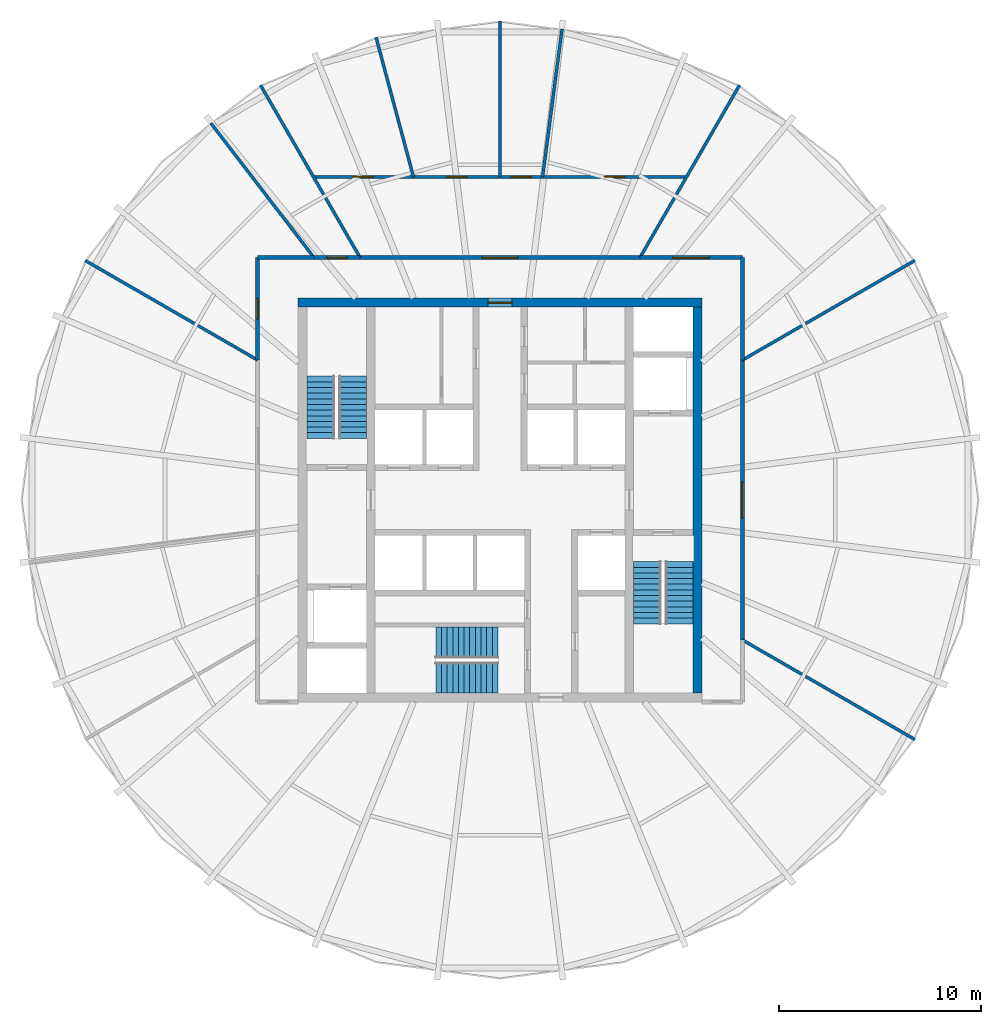
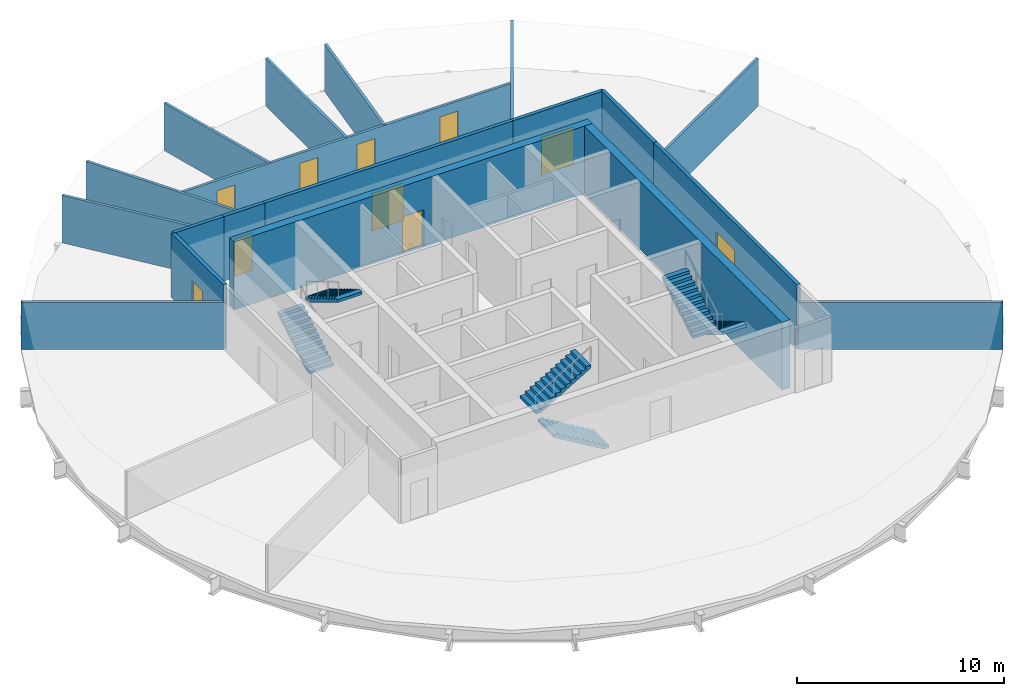
# One storey, part 4 of 5: 19 walls, 10 doors, 6 stair flights, 10 openings, 3 elements without a shape of their own.
"""IFC4 building model written with IfcOpenShell, lengths in metres."""

from ifc_helpers import new_model, si_unit, direction, frame, frame_2d, origin, place, context, subcontext, project, spatial, polyline, rectangle, outline, extrude, material, layer, layer_set, type_object, element, fill, aggregate, save


model = new_model("IFC4")

# Units and contexts
model_context = context("Model", 3, precision=1e-05, world=origin(), true_north=direction((0.0, 1.0)))
body_context = subcontext(model_context, "Body", "Model", "MODEL_VIEW")
ifc_project = project(units=[si_unit("LENGTHUNIT", "METRE"), si_unit("AREAUNIT", "SQUARE_METRE"), si_unit("VOLUMEUNIT", "CUBIC_METRE"), si_unit("PLANEANGLEUNIT", "RADIAN"), si_unit("MASSUNIT", "GRAM", prefix="KILO")], contexts=[model_context])

# Site, building, storey
site_placement = place(None, origin())
site = spatial("IfcSite", under=ifc_project, at=site_placement, CompositionType="ELEMENT")
building_placement = place(site_placement, origin())
building = spatial("IfcBuilding", under=site, at=building_placement, Name="Golbaran Civic Tower", CompositionType="ELEMENT")
storey_placement = place(building_placement, frame((0.0, 0.0, 191.0)))
storey = spatial("IfcBuildingStorey", under=building, at=storey_placement, Name="L46", CompositionType="ELEMENT", Elevation=191.0)

# Wall, opening, door
ifc_material_1 = material(Name="Concrete C50/60", Category="concrete")
ifc_layer_1 = layer(ifc_material_1, 0.449951171875, Name="Concrete C50/60")
ifc_layer_set_1 = layer_set([ifc_layer_1], Name="Concrete C50/60")
wall_type_1 = type_object("IfcWallType", Name="CORE WALL CONCRETE 450", PredefinedType="SOLIDWALL", material=ifc_layer_set_1)
wall_1_placement = place(storey_placement, frame((-10.0, 9.77490234375, 0.0), z_axis=(0.0, 0.0, 1.0), x_axis=(1.0, 0.0, 0.0)))
wall_1 = element("IfcWall", 1, at=wall_1_placement, inside=storey, type_object=wall_type_1, Name="Core wall CN L46", PredefinedType="SOLIDWALL", context=body_context, shape_type="SweptSolid", body=[
    extrude(rectangle(XDim=20.0, YDim=0.449951171875, at=frame_2d((10.0, 0.0))), origin(), (0.0, 0.0, 1.0), 4.0),
])
opening_1_placement = place(wall_1_placement, frame((9.39990234375, 0.0, 0.0)))
opening_1 = element("IfcOpeningElement", 2, at=opening_1_placement, cuts=wall_1, Name="Opening L46.CN", PredefinedType="OPENING", context=body_context, shape_type="SweptSolid", body=[
    extrude(rectangle(XDim=1.199951171875, YDim=2.199951171875, at=frame_2d((0.60009765625, 1.10009765625))), frame((0.0, 0.23486328125, 0.0), z_axis=(0.0, -1.0, 0.0), x_axis=(1.0, 0.0, 0.0)), (0.0, 0.0, 1.0), 0.469970703125),
])
ifc_material_2 = material(Name="Timber door set in steel frame", Category="steel")
door_type_1 = type_object("IfcDoorType", Name="CORE DOOR 1200x2200", OperationType="DOUBLE_DOOR_SINGLE_SWING", PredefinedType="DOOR", material=ifc_material_2)
door_1_placement = place(opening_1_placement, origin())
door_1 = element("IfcDoor", 3, at=door_1_placement, inside=storey, type_object=door_type_1, Name="Core door north", OperationType="DOUBLE_DOOR_SINGLE_SWING", OverallHeight=2.199951171875, OverallWidth=1.199951171875, PredefinedType="DOOR", context=body_context, shape_type="SweptSolid", body=[
    extrude(rectangle(XDim=1.199951171875, YDim=2.199951171875, at=frame_2d((0.60009765625, 1.10009765625))), frame((0.0, 0.02490234375, 0.0), z_axis=(0.0, -1.0, 0.0), x_axis=(1.0, 0.0, 0.0)), (0.0, 0.0, 1.0), 0.050048828125),
])
fill(opening_1, door_1)

# Wall
wall_2_placement = place(storey_placement, frame((9.77490234375, -9.550048828125, 0.0), z_axis=(0.0, 0.0, 1.0), x_axis=(0.0, 1.0, 0.0)))
element("IfcWall", 4, at=wall_2_placement, inside=storey, type_object=wall_type_1, Name="Core wall CE L46", PredefinedType="SOLIDWALL", context=body_context, shape_type="SweptSolid", body=[
    extrude(rectangle(XDim=19.10009765625, YDim=0.449951171875, at=frame_2d((9.550048828125, 0.0))), origin(), (0.0, 0.0, 1.0), 4.0),
])

# Wall, opening, door
ifc_material_3 = material(Name="Gypsum board on steel studs, fire-rated", Category="steel")
ifc_layer_2 = layer(ifc_material_3, 0.199951171875, Name="Gypsum board on steel studs, fire-rated")
ifc_layer_set_2 = layer_set([ifc_layer_2], Name="Gypsum board on steel studs, fire-rated")
wall_type_2 = type_object("IfcWallType", Name="CORRIDOR WALL 200", PredefinedType="PARTITIONING", material=ifc_layer_set_2)
wall_3_placement = place(storey_placement, frame((12.0, -6.92822265625, 0.0), z_axis=(0.0, 0.0, 1.0), x_axis=(0.0, 1.0, 0.0)))
wall_3 = element("IfcWall", 5, at=wall_3_placement, inside=storey, type_object=wall_type_2, Name="Corridor wall L46", PredefinedType="PARTITIONING", context=body_context, shape_type="SweptSolid", body=[
    extrude(rectangle(XDim=13.8564453125, YDim=0.199951171875, at=frame_2d((6.92822265625, 0.0))), origin(), (0.0, 0.0, 1.0), 3.800048828125),
])
opening_2_placement = place(wall_3_placement, frame((6.0283203125, 0.0, 0.0)))
opening_2 = element("IfcOpeningElement", 6, at=opening_2_placement, cuts=wall_3, Name="Opening L46.06", PredefinedType="OPENING", context=body_context, shape_type="SweptSolid", body=[
    extrude(rectangle(XDim=1.800048828125, YDim=2.199951171875, at=frame_2d((0.89990234375, 1.10009765625))), frame((0.0, 0.10986328125, 0.0), z_axis=(0.0, -1.0, 0.0), x_axis=(1.0, 0.0, 0.0)), (0.0, 0.0, 1.0), 0.219970703125),
])
door_type_2 = type_object("IfcDoorType", Name="OFFICE DOUBLE DOOR 1800x2200", OperationType="DOUBLE_DOOR_SINGLE_SWING", PredefinedType="DOOR", material=ifc_material_2)
door_2_placement = place(opening_2_placement, origin())
door_2 = element("IfcDoor", 7, at=door_2_placement, inside=storey, type_object=door_type_2, Name="Open Office door L46", OperationType="DOUBLE_DOOR_SINGLE_SWING", OverallHeight=2.199951171875, OverallWidth=1.800048828125, PredefinedType="DOOR", context=body_context, shape_type="SweptSolid", body=[
    extrude(rectangle(XDim=1.800048828125, YDim=2.199951171875, at=frame_2d((0.89990234375, 1.10009765625))), frame((0.0, 0.02490234375, 0.0), z_axis=(0.0, -1.0, 0.0), x_axis=(1.0, 0.0, 0.0)), (0.0, 0.0, 1.0), 0.050048828125),
])
fill(opening_2, door_2)

# Wall
wall_4_placement = place(storey_placement, frame((12.0, 6.92822265625, 0.0), z_axis=(0.0, 0.0, 1.0), x_axis=(0.0, 1.0, 0.0)))
element("IfcWall", 8, at=wall_4_placement, inside=storey, type_object=wall_type_2, Name="Corridor wall L46", PredefinedType="PARTITIONING", context=body_context, shape_type="SweptSolid", body=[
    extrude(rectangle(XDim=5.07177734375, YDim=0.199951171875, at=frame_2d((2.535888671875, 0.0))), origin(), (0.0, 0.0, 1.0), 3.800048828125),
])

# Wall, opening, door
wall_5_placement = place(storey_placement, frame((12.0, 12.0, 0.0), z_axis=(0.0, 0.0, 1.0), x_axis=(-1.0, 0.0, 0.0)))
wall_5 = element("IfcWall", 9, at=wall_5_placement, inside=storey, type_object=wall_type_2, Name="Corridor wall L46", PredefinedType="PARTITIONING", context=body_context, shape_type="SweptSolid", body=[
    extrude(rectangle(XDim=5.07177734375, YDim=0.199951171875, at=frame_2d((2.535888671875, 0.0))), origin(), (0.0, 0.0, 1.0), 3.800048828125),
])
opening_3_placement = place(wall_5_placement, frame((1.635986328125, 0.0, 0.0)))
opening_3 = element("IfcOpeningElement", 10, at=opening_3_placement, cuts=wall_5, Name="Opening L46.07", PredefinedType="OPENING", context=body_context, shape_type="SweptSolid", body=[
    extrude(rectangle(XDim=1.800048828125, YDim=2.199951171875, at=frame_2d((0.89990234375, 1.10009765625))), frame((0.0, 0.10986328125, 0.0), z_axis=(0.0, -1.0, 0.0), x_axis=(1.0, 0.0, 0.0)), (0.0, 0.0, 1.0), 0.219970703125),
])
door_3_placement = place(opening_3_placement, origin())
door_3 = element("IfcDoor", 11, at=door_3_placement, inside=storey, type_object=door_type_2, Name="Open Office door L46", OperationType="DOUBLE_DOOR_SINGLE_SWING", OverallHeight=2.199951171875, OverallWidth=1.800048828125, PredefinedType="DOOR", context=body_context, shape_type="SweptSolid", body=[
    extrude(rectangle(XDim=1.800048828125, YDim=2.199951171875, at=frame_2d((0.89990234375, 1.10009765625))), frame((0.0, 0.02490234375, 0.0), z_axis=(0.0, -1.0, 0.0), x_axis=(1.0, 0.0, 0.0)), (0.0, 0.0, 1.0), 0.050048828125),
])
fill(opening_3, door_3)

wall_6_placement = place(storey_placement, frame((6.92822265625, 12.0, 0.0), z_axis=(0.0, 0.0, 1.0), x_axis=(-1.0, 0.0, 0.0)))
wall_6 = element("IfcWall", 12, at=wall_6_placement, inside=storey, type_object=wall_type_2, Name="Corridor wall L46", PredefinedType="PARTITIONING", context=body_context, shape_type="SweptSolid", body=[
    extrude(rectangle(XDim=13.8564453125, YDim=0.199951171875, at=frame_2d((6.92822265625, 0.0))), origin(), (0.0, 0.0, 1.0), 3.800048828125),
])
opening_4_placement = place(wall_6_placement, frame((6.0283203125, 0.0, 0.0)))
opening_4 = element("IfcOpeningElement", 13, at=opening_4_placement, cuts=wall_6, Name="Opening L46.08", PredefinedType="OPENING", context=body_context, shape_type="SweptSolid", body=[
    extrude(rectangle(XDim=1.800048828125, YDim=2.199951171875, at=frame_2d((0.89990234375, 1.10009765625))), frame((0.0, 0.10986328125, 0.0), z_axis=(0.0, -1.0, 0.0), x_axis=(1.0, 0.0, 0.0)), (0.0, 0.0, 1.0), 0.219970703125),
])
door_4_placement = place(opening_4_placement, origin())
door_4 = element("IfcDoor", 14, at=door_4_placement, inside=storey, type_object=door_type_2, Name="Secretariat door L46", OperationType="DOUBLE_DOOR_SINGLE_SWING", OverallHeight=2.199951171875, OverallWidth=1.800048828125, PredefinedType="DOOR", context=body_context, shape_type="SweptSolid", body=[
    extrude(rectangle(XDim=1.800048828125, YDim=2.199951171875, at=frame_2d((0.89990234375, 1.10009765625))), frame((0.0, 0.02490234375, 0.0), z_axis=(0.0, -1.0, 0.0), x_axis=(1.0, 0.0, 0.0)), (0.0, 0.0, 1.0), 0.050048828125),
])
fill(opening_4, door_4)

wall_7_placement = place(storey_placement, frame((-6.92822265625, 12.0, 0.0), z_axis=(0.0, 0.0, 1.0), x_axis=(-1.0, 0.0, 0.0)))
wall_7 = element("IfcWall", 15, at=wall_7_placement, inside=storey, type_object=wall_type_2, Name="Corridor wall L46", PredefinedType="PARTITIONING", context=body_context, shape_type="SweptSolid", body=[
    extrude(rectangle(XDim=2.27978515625, YDim=0.199951171875, at=frame_2d((1.139892578125, 0.0))), origin(), (0.0, 0.0, 1.0), 3.800048828125),
])
opening_5_placement = place(wall_7_placement, frame((0.639892578125, 0.0, 0.0)))
opening_5 = element("IfcOpeningElement", 16, at=opening_5_placement, cuts=wall_7, Name="Opening L46.09", PredefinedType="OPENING", context=body_context, shape_type="SweptSolid", body=[
    extrude(rectangle(XDim=1.0, YDim=2.199951171875, at=frame_2d((0.5, 1.10009765625))), frame((0.0, 0.10986328125, 0.0), z_axis=(0.0, -1.0, 0.0), x_axis=(1.0, 0.0, 0.0)), (0.0, 0.0, 1.0), 0.219970703125),
])
door_type_3 = type_object("IfcDoorType", Name="OFFICE DOOR 1000x2200", OperationType="SINGLE_SWING_LEFT", PredefinedType="DOOR", material=ifc_material_2)
door_5_placement = place(opening_5_placement, origin())
door_5 = element("IfcDoor", 17, at=door_5_placement, inside=storey, type_object=door_type_3, Name="Project Room door L46", OperationType="SINGLE_SWING_RIGHT", OverallHeight=2.199951171875, OverallWidth=1.0, PredefinedType="DOOR", context=body_context, shape_type="SweptSolid", body=[
    extrude(rectangle(XDim=1.0, YDim=2.199951171875, at=frame_2d((0.5, 1.10009765625))), frame((0.0, 0.02490234375, 0.0), z_axis=(0.0, -1.0, 0.0), x_axis=(1.0, 0.0, 0.0)), (0.0, 0.0, 1.0), 0.050048828125),
])
fill(opening_5, door_5)

# Wall
wall_8_placement = place(storey_placement, frame((-9.2080078125, 12.0, 0.0), z_axis=(0.0, 0.0, 1.0), x_axis=(-1.0, 0.0, 0.0)))
element("IfcWall", 18, at=wall_8_placement, inside=storey, type_object=wall_type_2, Name="Corridor wall L46", PredefinedType="PARTITIONING", context=body_context, shape_type="SweptSolid", body=[
    extrude(rectangle(XDim=2.7919921875, YDim=0.199951171875, at=frame_2d((1.39599609375, 0.0))), origin(), (0.0, 0.0, 1.0), 3.800048828125),
])

# Wall, opening, door
wall_9_placement = place(storey_placement, frame((-12.0, 12.0, 0.0), z_axis=(0.0, 0.0, 1.0), x_axis=(0.0, -1.0, 0.0)))
wall_9 = element("IfcWall", 19, at=wall_9_placement, inside=storey, type_object=wall_type_2, Name="Corridor wall L46", PredefinedType="PARTITIONING", context=body_context, shape_type="SweptSolid", body=[
    extrude(rectangle(XDim=5.07177734375, YDim=0.199951171875, at=frame_2d((2.535888671875, 0.0))), origin(), (0.0, 0.0, 1.0), 3.800048828125),
])
opening_6_placement = place(wall_9_placement, frame((2.035888671875, 0.0, 0.0)))
opening_6 = element("IfcOpeningElement", 20, at=opening_6_placement, cuts=wall_9, Name="Opening L46.10", PredefinedType="OPENING", context=body_context, shape_type="SweptSolid", body=[
    extrude(rectangle(XDim=1.0, YDim=2.199951171875, at=frame_2d((0.5, 1.10009765625))), frame((0.0, 0.10986328125, 0.0), z_axis=(0.0, -1.0, 0.0), x_axis=(1.0, 0.0, 0.0)), (0.0, 0.0, 1.0), 0.219970703125),
])
door_6_placement = place(opening_6_placement, origin())
door_6 = element("IfcDoor", 21, at=door_6_placement, inside=storey, type_object=door_type_3, Name="Quiet Room door L46", OperationType="SINGLE_SWING_RIGHT", OverallHeight=2.199951171875, OverallWidth=1.0, PredefinedType="DOOR", context=body_context, shape_type="SweptSolid", body=[
    extrude(rectangle(XDim=1.0, YDim=2.199951171875, at=frame_2d((0.5, 1.10009765625))), frame((0.0, 0.02490234375, 0.0), z_axis=(0.0, -1.0, 0.0), x_axis=(1.0, 0.0, 0.0)), (0.0, 0.0, 1.0), 0.050048828125),
])
fill(opening_6, door_6)

# Walls
ifc_material_4 = material(Name="Gypsum board on steel studs", Category="steel")
ifc_layer_3 = layer(ifc_material_4, 0.14990234375, Name="Gypsum board on steel studs")
ifc_layer_set_3 = layer_set([ifc_layer_3], Name="Gypsum board on steel studs")
wall_type_3 = type_object("IfcWallType", Name="OFFICE PARTITION 150", PredefinedType="PARTITIONING", material=ifc_layer_set_3)
for number, where, z_axis, x_axis, name in (
    (22, (12.0, -6.92822265625, 0.0), (0.0, 0.0, 1.0), (0.866027739639, -0.49999595416, 0.0), "Partition 330 L46"),
    (23, (12.0, 6.92822265625, 0.0), (0.0, 0.0, 1.0), (0.866027739639, 0.49999595416, 0.0), "Partition 30 L46"),
    (24, (6.92822265625, 12.0, 0.0), (0.0, 0.0, 1.0), (0.49999595416, 0.866027739639, 0.0), "Partition 60 L46"),
    (25, (-6.92822265625, 12.0, 0.0), (0.0, 0.0, 1.0), (-0.49999595416, 0.866027739639, 0.0), "Partition 120 L46"),
):
    element("IfcWall", number, at=place(storey_placement, frame(where, z_axis=z_axis, x_axis=x_axis)), inside=storey, type_object=wall_type_3, Name=name, PredefinedType="PARTITIONING", context=body_context, shape_type="SweptSolid", body=[
        extrude(rectangle(XDim=9.86474609375, YDim=0.14990234375, at=frame_2d((4.932373046875, 0.0))), origin(), (0.0, 0.0, 1.0), 2.7900390625),
    ])
wall_10_placement = place(storey_placement, frame((-9.2080078125, 12.0, 0.0), z_axis=(0.0, 0.0, 1.0), x_axis=(-0.608769821811, 0.793346900197, 0.0)))
element("IfcWall", 26, at=wall_10_placement, inside=storey, type_object=wall_type_3, Name="Partition 127.5 L46", PredefinedType="PARTITIONING", context=body_context, shape_type="SweptSolid", body=[
    extrude(rectangle(XDim=8.392578125, YDim=0.14990234375, at=frame_2d((4.1962890625, 0.0))), origin(), (0.0, 0.0, 1.0), 2.7900390625),
])
wall_11_placement = place(storey_placement, frame((-12.0, 6.92822265625, 0.0), z_axis=(0.0, 0.0, 1.0), x_axis=(-0.866027739639, 0.49999595416, 0.0)))
element("IfcWall", 27, at=wall_11_placement, inside=storey, type_object=wall_type_3, Name="Partition 150 L46", PredefinedType="PARTITIONING", context=body_context, shape_type="SweptSolid", body=[
    extrude(rectangle(XDim=9.86474609375, YDim=0.14990234375, at=frame_2d((4.932373046875, 0.0))), origin(), (0.0, 0.0, 1.0), 2.7900390625),
])

# Wall, openings, doors
wall_12_placement = place(storey_placement, frame((9.237548828125, 16.0, 0.0), z_axis=(0.0, 0.0, 1.0), x_axis=(-1.0, 0.0, 0.0)))
wall_12 = element("IfcWall", 28, at=wall_12_placement, inside=storey, type_object=wall_type_3, Name="Suite partition L46", PredefinedType="PARTITIONING", context=body_context, shape_type="SweptSolid", body=[
    extrude(rectangle(XDim=18.47509765625, YDim=0.14990234375, at=frame_2d((9.237548828125, 0.0))), origin(), (0.0, 0.0, 1.0), 2.7900390625),
])
opening_7_placement = place(wall_12_placement, frame((3.065673828125, 0.0, 0.0)))
opening_7 = element("IfcOpeningElement", 29, at=opening_7_placement, cuts=wall_12, Name="Opening L46.01", PredefinedType="OPENING", context=body_context, shape_type="SweptSolid", body=[
    extrude(rectangle(XDim=1.0, YDim=2.199951171875, at=frame_2d((0.5, 1.10009765625))), frame((0.0, 0.0849609375, 0.0), z_axis=(0.0, -1.0, 0.0), x_axis=(1.0, 0.0, 0.0)), (0.0, 0.0, 1.0), 0.169921875),
])
opening_8_placement = place(wall_12_placement, frame((7.684326171875, 0.0, 0.0)))
opening_8 = element("IfcOpeningElement", 30, at=opening_8_placement, cuts=wall_12, Name="Opening L46.02", PredefinedType="OPENING", context=body_context, shape_type="SweptSolid", body=[
    extrude(rectangle(XDim=1.0, YDim=2.199951171875, at=frame_2d((0.5, 1.10009765625))), frame((0.0, 0.0849609375, 0.0), z_axis=(0.0, -1.0, 0.0), x_axis=(1.0, 0.0, 0.0)), (0.0, 0.0, 1.0), 0.169921875),
])
opening_9_placement = place(wall_12_placement, frame((10.881103515625, 0.0, 0.0)))
opening_9 = element("IfcOpeningElement", 31, at=opening_9_placement, cuts=wall_12, Name="Opening L46.03", PredefinedType="OPENING", context=body_context, shape_type="SweptSolid", body=[
    extrude(rectangle(XDim=1.0, YDim=2.199951171875, at=frame_2d((0.5, 1.10009765625))), frame((0.0, 0.0849609375, 0.0), z_axis=(0.0, -1.0, 0.0), x_axis=(1.0, 0.0, 0.0)), (0.0, 0.0, 1.0), 0.169921875),
])
opening_10_placement = place(wall_12_placement, frame((15.5, 0.0, 0.0)))
opening_10 = element("IfcOpeningElement", 32, at=opening_10_placement, cuts=wall_12, Name="Opening L46.04", PredefinedType="OPENING", context=body_context, shape_type="SweptSolid", body=[
    extrude(rectangle(XDim=1.0, YDim=2.199951171875, at=frame_2d((0.5, 1.10009765625))), frame((0.0, 0.0849609375, 0.0), z_axis=(0.0, -1.0, 0.0), x_axis=(1.0, 0.0, 0.0)), (0.0, 0.0, 1.0), 0.169921875),
])
door_7_placement = place(opening_7_placement, origin())
door_7 = element("IfcDoor", 33, at=door_7_placement, inside=storey, type_object=door_type_3, Name="Office door L46", OperationType="SINGLE_SWING_LEFT", OverallHeight=2.199951171875, OverallWidth=1.0, PredefinedType="DOOR", context=body_context, shape_type="SweptSolid", body=[
    extrude(rectangle(XDim=1.0, YDim=2.199951171875, at=frame_2d((0.5, 1.10009765625))), frame((0.0, 0.02490234375, 0.0), z_axis=(0.0, -1.0, 0.0), x_axis=(1.0, 0.0, 0.0)), (0.0, 0.0, 1.0), 0.050048828125),
])
fill(opening_7, door_7)
door_8_placement = place(opening_8_placement, origin())
door_8 = element("IfcDoor", 34, at=door_8_placement, inside=storey, type_object=door_type_3, Name="Office door L46", OperationType="SINGLE_SWING_LEFT", OverallHeight=2.199951171875, OverallWidth=1.0, PredefinedType="DOOR", context=body_context, shape_type="SweptSolid", body=[
    extrude(rectangle(XDim=1.0, YDim=2.199951171875, at=frame_2d((0.5, 1.10009765625))), frame((0.0, 0.02490234375, 0.0), z_axis=(0.0, -1.0, 0.0), x_axis=(1.0, 0.0, 0.0)), (0.0, 0.0, 1.0), 0.050048828125),
])
fill(opening_8, door_8)
door_9_placement = place(opening_9_placement, origin())
door_9 = element("IfcDoor", 35, at=door_9_placement, inside=storey, type_object=door_type_3, Name="Office door L46", OperationType="SINGLE_SWING_RIGHT", OverallHeight=2.199951171875, OverallWidth=1.0, PredefinedType="DOOR", context=body_context, shape_type="SweptSolid", body=[
    extrude(rectangle(XDim=1.0, YDim=2.199951171875, at=frame_2d((0.5, 1.10009765625))), frame((0.0, 0.02490234375, 0.0), z_axis=(0.0, -1.0, 0.0), x_axis=(1.0, 0.0, 0.0)), (0.0, 0.0, 1.0), 0.050048828125),
])
fill(opening_9, door_9)
door_10_placement = place(opening_10_placement, origin())
door_10 = element("IfcDoor", 36, at=door_10_placement, inside=storey, type_object=door_type_3, Name="Office door L46", OperationType="SINGLE_SWING_RIGHT", OverallHeight=2.199951171875, OverallWidth=1.0, PredefinedType="DOOR", context=body_context, shape_type="SweptSolid", body=[
    extrude(rectangle(XDim=1.0, YDim=2.199951171875, at=frame_2d((0.5, 1.10009765625))), frame((0.0, 0.02490234375, 0.0), z_axis=(0.0, -1.0, 0.0), x_axis=(1.0, 0.0, 0.0)), (0.0, 0.0, 1.0), 0.050048828125),
])
fill(opening_10, door_10)

# Walls
wall_13_placement = place(storey_placement, frame((2.1064453125, 16.0, 0.0), z_axis=(0.0, 0.0, 1.0), x_axis=(0.130534093561, 0.991443821111, 0.0)))
element("IfcWall", 37, at=wall_13_placement, inside=storey, type_object=wall_type_3, Name="Partition 82.5 L46", PredefinedType="PARTITIONING", context=body_context, shape_type="SweptSolid", body=[
    extrude(rectangle(XDim=7.38037109375, YDim=0.14990234375, at=frame_2d((3.690185546875, 0.0))), origin(), (0.0, 0.0, 1.0), 2.7900390625),
])
wall_14_placement = place(storey_placement, frame((0.0, 16.0, 0.0), z_axis=(0.0, 0.0, 1.0), x_axis=(0.0, 1.0, 0.0)))
element("IfcWall", 38, at=wall_14_placement, inside=storey, type_object=wall_type_3, Name="Partition 90 L46", PredefinedType="PARTITIONING", context=body_context, shape_type="SweptSolid", body=[
    extrude(rectangle(XDim=7.72119140625, YDim=0.14990234375, at=frame_2d((3.860595703125, 0.0))), origin(), (0.0, 0.0, 1.0), 2.7900390625),
])
wall_15_placement = place(storey_placement, frame((-4.287109375, 16.0, 0.0), z_axis=(0.0, 0.0, 1.0), x_axis=(-0.25881963763, 0.965925667522, 0.0)))
element("IfcWall", 39, at=wall_15_placement, inside=storey, type_object=wall_type_3, Name="Partition 105 L46", PredefinedType="PARTITIONING", context=body_context, shape_type="SweptSolid", body=[
    extrude(rectangle(XDim=7.15673828125, YDim=0.14990234375, at=frame_2d((3.578369140625, 0.0))), origin(), (0.0, 0.0, 1.0), 2.7900390625),
])

# Stair, stair flights
ifc_material_5 = material(Name="Concrete C35/45", Category="concrete")
stair_type_1 = type_object("IfcStairType", Name="EXIT STAIR 2950 x 7800, 4000 RISE", PredefinedType="HALF_TURN_STAIR", material=ifc_material_5)
stair_1_placement = place(storey_placement, origin())
stair_1 = element("IfcStair", 40, at=stair_1_placement, inside=storey, type_object=stair_type_1, Name="Stair S1 L46", PredefinedType="HALF_TURN_STAIR")
stair_flight_type_1 = type_object("IfcStairFlightType", Name="STAIR FLIGHT 1375 WIDE", PredefinedType="STRAIGHT", material=ifc_material_5)
stair_flight_1_placement = place(storey_placement, frame((-8.862548828125, 3.050048828125, 0.0), z_axis=(0.0, 0.0, 1.0), x_axis=(0.0, 1.0, 0.0)))
stair_flight_1 = element("IfcStairFlight", 41, at=stair_flight_1_placement, type_object=stair_flight_type_1, Name="ST29578-40 flight 1", NumberOfRisers=12, NumberOfTreads=11, PredefinedType="STRAIGHT", RiserHeight=0.166666667, TreadLength=0.28, context=body_context, shape_type="SweptSolid", body=[
    extrude(outline(polyline([(0.0, 0.0), (0.0, 0.166748046875), (0.280029296875, 0.166748046875), (0.280029296875, 0.333251953125), (0.56005859375, 0.333251953125), (0.56005859375, 0.5), (0.840087890625, 0.5), (0.840087890625, 0.666748046875), (1.1201171875, 0.666748046875), (1.1201171875, 0.833251953125), (1.39990234375, 0.833251953125), (1.39990234375, 1.0), (1.679931640625, 1.0), (1.679931640625, 1.166748046875), (1.9599609375, 1.166748046875), (1.9599609375, 1.333251953125), (2.239990234375, 1.333251953125), (2.239990234375, 1.5), (2.52001953125, 1.5), (2.52001953125, 1.666748046875), (2.800048828125, 1.666748046875), (2.800048828125, 1.833251953125), (3.080078125, 1.833251953125), (3.080078125, 2.0), (3.080078125, 1.658935546875), (0.29296875, 0.0), (0.0, 0.0)])), frame((0.0, 0.6875, 0.0), z_axis=(0.0, -1.0, 0.0), x_axis=(1.0, 0.0, 0.0)), (0.0, 0.0, 1.0), 1.375),
])
stair_flight_2_placement = place(storey_placement, frame((-7.28759765625, 6.1298828125, 2.0), z_axis=(0.0, 0.0, 1.0), x_axis=(0.0, -1.0, 0.0)))
stair_flight_2 = element("IfcStairFlight", 42, at=stair_flight_2_placement, type_object=stair_flight_type_1, Name="ST29578-40 flight 2", NumberOfRisers=12, NumberOfTreads=11, PredefinedType="STRAIGHT", RiserHeight=0.166666667, TreadLength=0.28, context=body_context, shape_type="SweptSolid", body=[
    extrude(outline(polyline([(0.0, 0.0), (0.0, 0.166748046875), (0.280029296875, 0.166748046875), (0.280029296875, 0.333251953125), (0.56005859375, 0.333251953125), (0.56005859375, 0.5), (0.840087890625, 0.5), (0.840087890625, 0.666748046875), (1.1201171875, 0.666748046875), (1.1201171875, 0.833251953125), (1.39990234375, 0.833251953125), (1.39990234375, 1.0), (1.679931640625, 1.0), (1.679931640625, 1.166748046875), (1.9599609375, 1.166748046875), (1.9599609375, 1.333251953125), (2.239990234375, 1.333251953125), (2.239990234375, 1.5), (2.52001953125, 1.5), (2.52001953125, 1.666748046875), (2.800048828125, 1.666748046875), (2.800048828125, 1.833251953125), (3.080078125, 1.833251953125), (3.080078125, 2.0), (3.080078125, 1.658935546875), (0.29296875, 0.0), (0.0, 0.0)])), frame((0.0, 0.6875, 0.0), z_axis=(0.0, -1.0, 0.0), x_axis=(1.0, 0.0, 0.0)), (0.0, 0.0, 1.0), 1.375),
])
aggregate(stair_1, [stair_flight_1, stair_flight_2])

stair_2_placement = place(storey_placement, origin())
stair_2 = element("IfcStair", 43, at=stair_2_placement, inside=storey, type_object=stair_type_1, Name="Stair S2 L46", PredefinedType="HALF_TURN_STAIR")
stair_flight_3_placement = place(storey_placement, frame((8.862548828125, -3.050048828125, 0.0), z_axis=(0.0, 0.0, 1.0), x_axis=(0.0, -1.0, 0.0)))
stair_flight_3 = element("IfcStairFlight", 44, at=stair_flight_3_placement, type_object=stair_flight_type_1, Name="ST29578-40 flight 1", NumberOfRisers=12, NumberOfTreads=11, PredefinedType="STRAIGHT", RiserHeight=0.166666667, TreadLength=0.28, context=body_context, shape_type="SweptSolid", body=[
    extrude(outline(polyline([(0.0, 0.0), (0.0, 0.166748046875), (0.280029296875, 0.166748046875), (0.280029296875, 0.333251953125), (0.56005859375, 0.333251953125), (0.56005859375, 0.5), (0.840087890625, 0.5), (0.840087890625, 0.666748046875), (1.1201171875, 0.666748046875), (1.1201171875, 0.833251953125), (1.39990234375, 0.833251953125), (1.39990234375, 1.0), (1.679931640625, 1.0), (1.679931640625, 1.166748046875), (1.9599609375, 1.166748046875), (1.9599609375, 1.333251953125), (2.239990234375, 1.333251953125), (2.239990234375, 1.5), (2.52001953125, 1.5), (2.52001953125, 1.666748046875), (2.800048828125, 1.666748046875), (2.800048828125, 1.833251953125), (3.080078125, 1.833251953125), (3.080078125, 2.0), (3.080078125, 1.658935546875), (0.29296875, 0.0), (0.0, 0.0)])), frame((0.0, 0.6875, 0.0), z_axis=(0.0, -1.0, 0.0), x_axis=(1.0, 0.0, 0.0)), (0.0, 0.0, 1.0), 1.375),
])
stair_flight_4_placement = place(storey_placement, frame((7.28759765625, -6.1298828125, 2.0), z_axis=(0.0, 0.0, 1.0), x_axis=(0.0, 1.0, 0.0)))
stair_flight_4 = element("IfcStairFlight", 45, at=stair_flight_4_placement, type_object=stair_flight_type_1, Name="ST29578-40 flight 2", NumberOfRisers=12, NumberOfTreads=11, PredefinedType="STRAIGHT", RiserHeight=0.166666667, TreadLength=0.28, context=body_context, shape_type="SweptSolid", body=[
    extrude(outline(polyline([(0.0, 0.0), (0.0, 0.166748046875), (0.280029296875, 0.166748046875), (0.280029296875, 0.333251953125), (0.56005859375, 0.333251953125), (0.56005859375, 0.5), (0.840087890625, 0.5), (0.840087890625, 0.666748046875), (1.1201171875, 0.666748046875), (1.1201171875, 0.833251953125), (1.39990234375, 0.833251953125), (1.39990234375, 1.0), (1.679931640625, 1.0), (1.679931640625, 1.166748046875), (1.9599609375, 1.166748046875), (1.9599609375, 1.333251953125), (2.239990234375, 1.333251953125), (2.239990234375, 1.5), (2.52001953125, 1.5), (2.52001953125, 1.666748046875), (2.800048828125, 1.666748046875), (2.800048828125, 1.833251953125), (3.080078125, 1.833251953125), (3.080078125, 2.0), (3.080078125, 1.658935546875), (0.29296875, 0.0), (0.0, 0.0)])), frame((0.0, 0.6875, 0.0), z_axis=(0.0, -1.0, 0.0), x_axis=(1.0, 0.0, 0.0)), (0.0, 0.0, 1.0), 1.375),
])
aggregate(stair_2, [stair_flight_3, stair_flight_4])

stair_type_2 = type_object("IfcStairType", Name="EXIT STAIR 3250 x 7400, 4000 RISE", PredefinedType="HALF_TURN_STAIR", material=ifc_material_5)
stair_3_placement = place(storey_placement, origin())
stair_3 = element("IfcStair", 46, at=stair_3_placement, inside=storey, type_object=stair_type_2, Name="Stair S3 L46", PredefinedType="HALF_TURN_STAIR")
stair_flight_type_2 = type_object("IfcStairFlightType", Name="STAIR FLIGHT 1525 WIDE", PredefinedType="STRAIGHT", material=ifc_material_5)
stair_flight_5_placement = place(storey_placement, frame((-0.10009765625, -8.78759765625, 0.0), z_axis=(0.0, 0.0, 1.0), x_axis=(-1.0, 0.0, 0.0)))
stair_flight_5 = element("IfcStairFlight", 47, at=stair_flight_5_placement, type_object=stair_flight_type_2, Name="ST32574-40 flight 1", NumberOfRisers=12, NumberOfTreads=11, PredefinedType="STRAIGHT", RiserHeight=0.166666667, TreadLength=0.28, context=body_context, shape_type="SweptSolid", body=[
    extrude(outline(polyline([(0.0, 0.0), (0.0, 0.166748046875), (0.280029296875, 0.166748046875), (0.280029296875, 0.333251953125), (0.56005859375, 0.333251953125), (0.56005859375, 0.5), (0.840087890625, 0.5), (0.840087890625, 0.666748046875), (1.1201171875, 0.666748046875), (1.1201171875, 0.833251953125), (1.39990234375, 0.833251953125), (1.39990234375, 1.0), (1.679931640625, 1.0), (1.679931640625, 1.166748046875), (1.9599609375, 1.166748046875), (1.9599609375, 1.333251953125), (2.239990234375, 1.333251953125), (2.239990234375, 1.5), (2.52001953125, 1.5), (2.52001953125, 1.666748046875), (2.800048828125, 1.666748046875), (2.800048828125, 1.833251953125), (3.080078125, 1.833251953125), (3.080078125, 2.0), (3.080078125, 1.658935546875), (0.29296875, 0.0), (0.0, 0.0)])), frame((0.0, 0.762451171875, 0.0), z_axis=(0.0, -1.0, 0.0), x_axis=(1.0, 0.0, 0.0)), (0.0, 0.0, 1.0), 1.52490234375),
])
stair_flight_6_placement = place(storey_placement, frame((-3.179931640625, -7.0625, 2.0), z_axis=(0.0, 0.0, 1.0), x_axis=(1.0, 0.0, 0.0)))
stair_flight_6 = element("IfcStairFlight", 48, at=stair_flight_6_placement, type_object=stair_flight_type_2, Name="ST32574-40 flight 2", NumberOfRisers=12, NumberOfTreads=11, PredefinedType="STRAIGHT", RiserHeight=0.166666667, TreadLength=0.28, context=body_context, shape_type="SweptSolid", body=[
    extrude(outline(polyline([(0.0, 0.0), (0.0, 0.166748046875), (0.280029296875, 0.166748046875), (0.280029296875, 0.333251953125), (0.56005859375, 0.333251953125), (0.56005859375, 0.5), (0.840087890625, 0.5), (0.840087890625, 0.666748046875), (1.1201171875, 0.666748046875), (1.1201171875, 0.833251953125), (1.39990234375, 0.833251953125), (1.39990234375, 1.0), (1.679931640625, 1.0), (1.679931640625, 1.166748046875), (1.9599609375, 1.166748046875), (1.9599609375, 1.333251953125), (2.239990234375, 1.333251953125), (2.239990234375, 1.5), (2.52001953125, 1.5), (2.52001953125, 1.666748046875), (2.800048828125, 1.666748046875), (2.800048828125, 1.833251953125), (3.080078125, 1.833251953125), (3.080078125, 2.0), (3.080078125, 1.658935546875), (0.29296875, 0.0), (0.0, 0.0)])), frame((0.0, 0.762451171875, 0.0), z_axis=(0.0, -1.0, 0.0), x_axis=(1.0, 0.0, 0.0)), (0.0, 0.0, 1.0), 1.52490234375),
])
aggregate(stair_3, [stair_flight_5, stair_flight_6])

save(model, "model.ifc")
